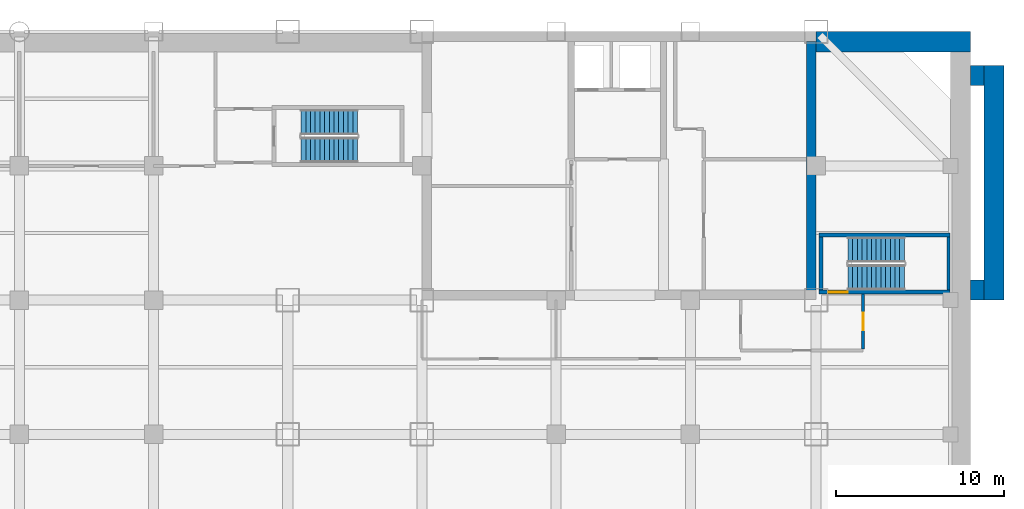
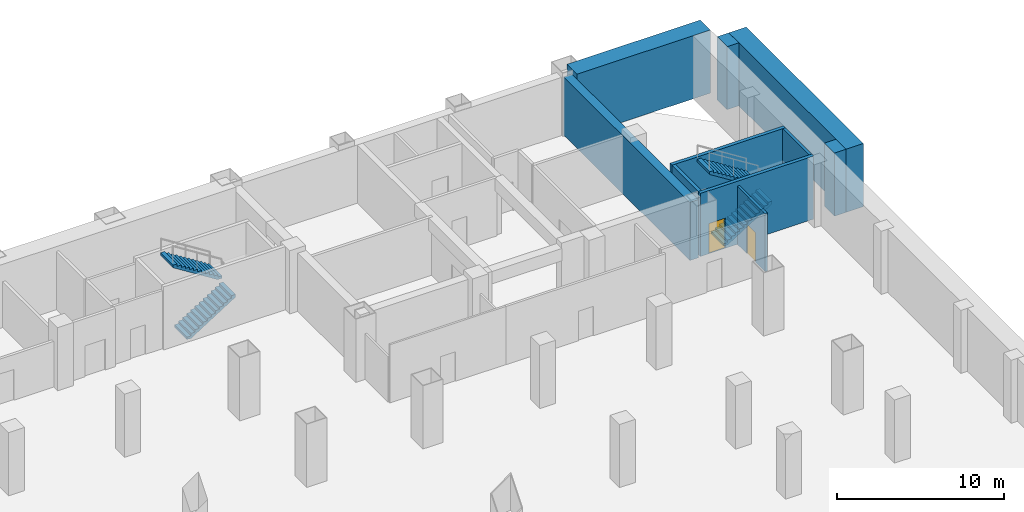
# One storey, part 5 of 8: 10 walls, 4 stair flights, 2 doors, 2 openings, 2 elements without a shape of their own.
"""IFC4 building model written with IfcOpenShell, lengths in metres."""

from ifc_helpers import new_model, si_unit, direction, frame, frame_2d, origin, place, context, subcontext, project, spatial, polyline, rectangle, outline, extrude, material, layer, layer_set, type_object, element, fill, aggregate, save


model = new_model("IFC4")

# Units and contexts
model_context = context("Model", 3, precision=1e-05, world=origin(), true_north=direction((0.0, 1.0)))
body_context = subcontext(model_context, "Body", "Model", "MODEL_VIEW")
ifc_project = project(units=[si_unit("LENGTHUNIT", "METRE"), si_unit("AREAUNIT", "SQUARE_METRE"), si_unit("VOLUMEUNIT", "CUBIC_METRE"), si_unit("PLANEANGLEUNIT", "RADIAN"), si_unit("MASSUNIT", "GRAM", prefix="KILO")], contexts=[model_context])

# Site, building, storey
site_placement = place(None, origin())
site = spatial("IfcSite", under=ifc_project, at=site_placement, CompositionType="ELEMENT")
building_placement = place(site_placement, origin())
building = spatial("IfcBuilding", under=site, at=building_placement, Name="Qianrong Seaharbour Tower", CompositionType="ELEMENT")
storey_placement = place(building_placement, frame((0.0, 0.0, -9.199951171875)))
storey = spatial("IfcBuildingStorey", under=building, at=storey_placement, Name="B02", CompositionType="ELEMENT", Elevation=-9.199951171875)

# Wall
ifc_material_1 = material(Name="Concrete C70/85", Category="concrete")
ifc_layer_1 = layer(ifc_material_1, 0.580078125)
ifc_layer_set_1 = layer_set([ifc_layer_1], Name="Concrete C70/85")
wall_type_1 = type_object("IfcWallType", Name="WALL-CORE-580", PredefinedType="SHEAR", material=ifc_layer_set_1)
wall_1_placement = place(storey_placement, frame((63.7099609375, 36.320068359375, 0.0), z_axis=(0.0, 0.0, 1.0), x_axis=(0.0, 1.0, 0.0)))
element("IfcWall", 1, at=wall_1_placement, inside=storey, type_object=wall_type_1, Name="B02 East Core Shear Wall", PredefinedType="SHEAR", context=body_context, shape_type="SweptSolid", body=[
    extrude(rectangle(XDim=15.099853515625, YDim=0.580078125, at=frame_2d((7.5498046875, 0.0))), origin(), (0.0, 0.0, 1.0), 4.239990234375),
])

# Wall, opening, door
ifc_material_2 = material(Name="Fire-rated acoustic gypsum board partition")
ifc_layer_2 = layer(ifc_material_2, 0.1650390625)
ifc_layer_set_2 = layer_set([ifc_layer_2], Name="Fire-rated acoustic gypsum board partition")
wall_type_2 = type_object("IfcWallType", Name="WALL-CORR-PART-165", PredefinedType="PARTITIONING", material=ifc_layer_set_2)
wall_2_placement = place(storey_placement, frame((66.800048828125, 36.367919921875, 0.0), z_axis=(0.0, 0.0, 1.0), x_axis=(0.0, -1.0, 0.0)))
wall_2 = element("IfcWall", 2, at=wall_2_placement, inside=storey, type_object=wall_type_2, Name="B02 Interior Partition Wall 014", PredefinedType="PARTITIONING", context=body_context, shape_type="SweptSolid", body=[
    extrude(rectangle(XDim=3.29345703125, YDim=0.1650390625, at=frame_2d((1.646728515625, 0.0))), origin(), (0.0, 0.0, 1.0), 4.239990234375),
])
opening_1_placement = place(wall_2_placement, frame((1.121826171875, 0.0, 0.0)))
opening_1 = element("IfcOpeningElement", 3, at=opening_1_placement, cuts=wall_2, Name="Opening DC-01", PredefinedType="OPENING", context=body_context, shape_type="SweptSolid", body=[
    extrude(rectangle(XDim=1.050048828125, YDim=2.14990234375, at=frame_2d((0.52490234375, 1.074951171875))), frame((0.0, 0.092529296875, 0.0), z_axis=(0.0, -1.0, 0.0), x_axis=(1.0, 0.0, 0.0)), (0.0, 0.0, 1.0), 0.18505859375),
])
ifc_material_3 = material(Name="Acoustic timber and galvanized steel fire door assembly", Category="steel")
door_type_1 = type_object("IfcDoorType", Name="DOOR-CORR-FD60-1050x2150", OperationType="NOTDEFINED", PredefinedType="DOOR", material=ifc_material_3)
door_1_placement = place(opening_1_placement, origin())
door_1 = element("IfcDoor", 4, at=door_1_placement, inside=storey, type_object=door_type_1, Name="B02 Basement Stair Vestibule BST-2 Door", OperationType="SINGLE_SWING_LEFT", OverallHeight=2.14990234375, OverallWidth=1.050048828125, PredefinedType="DOOR", context=body_context, shape_type="SweptSolid", body=[
    extrude(rectangle(XDim=1.050048828125, YDim=2.14990234375, at=frame_2d((0.52490234375, 1.074951171875))), frame((0.0, 0.02490234375, 0.0), z_axis=(0.0, -1.0, 0.0), x_axis=(1.0, 0.0, 0.0)), (0.0, 0.0, 1.0), 0.050048828125),
])
fill(opening_1, door_1)

# Walls
ifc_material_4 = material(Name="Concrete C50/60", Category="concrete")
ifc_layer_3 = layer(ifc_material_4, 1.199951171875)
ifc_layer_set_3 = layer_set([ifc_layer_3], Name="Concrete C50/60")
wall_type_3 = type_object("IfcWallType", Name="WALL-DW-1200", PredefinedType="USERDEFINED", material=ifc_layer_set_3)
wall_3_placement = place(storey_placement, frame((74.60009765625, 36.0, 0.0), z_axis=(0.0, 0.0, 1.0), x_axis=(0.0, 1.0, 0.0)))
element("IfcWall", 5, at=wall_3_placement, inside=storey, type_object=wall_type_3, Name="B02 East Harbour Quay Retaining Wall", ObjectType="DIAPHRAGM WALL", PredefinedType="USERDEFINED", context=body_context, shape_type="SweptSolid", body=[
    extrude(rectangle(XDim=14.0, YDim=1.199951171875, at=frame_2d((7.0, 0.0))), origin(), (0.0, 0.0, 1.0), 4.599853515625),
])
for number, where, z_axis, x_axis, name in (
    (6, (73.199951171875, 36.60009765625, 0.0), (0.0, 0.0, 1.0), (1.0, 0.0, 0.0), "B02 East Quay Return Wall S"),
    (7, (73.199951171875, 49.39990234375, 0.0), (0.0, 0.0, 1.0), (1.0, 0.0, 0.0), "B02 East Quay Return Wall N"),
):
    element("IfcWall", number, at=place(storey_placement, frame(where, z_axis=z_axis, x_axis=x_axis)), inside=storey, type_object=wall_type_3, Name=name, ObjectType="DIAPHRAGM WALL", PredefinedType="USERDEFINED", context=body_context, shape_type="SweptSolid", body=[
        extrude(rectangle(XDim=0.800048828125, YDim=1.199951171875, at=frame_2d((0.39990234375, 0.0))), origin(), (0.0, 0.0, 1.0), 4.599853515625),
    ])
wall_4_placement = place(storey_placement, frame((64.0, 51.39990234375, 0.0), z_axis=(0.0, 0.0, 1.0), x_axis=(1.0, 0.0, 0.0)))
element("IfcWall", 8, at=wall_4_placement, inside=storey, type_object=wall_type_3, Name="B02 North-East Diaphragm Retaining Wall", ObjectType="DIAPHRAGM WALL", PredefinedType="USERDEFINED", context=body_context, shape_type="SweptSolid", body=[
    extrude(rectangle(XDim=9.199951171875, YDim=1.199951171875, at=frame_2d((4.60009765625, 0.0))), origin(), (0.0, 0.0, 1.0), 4.599853515625),
])
ifc_layer_4 = layer(ifc_material_4, 0.239990234375)
ifc_layer_set_4 = layer_set([ifc_layer_4], Name="Concrete C50/60")
wall_type_4 = type_object("IfcWallType", Name="WALL-SHAFT-RC240", PredefinedType="SOLIDWALL", material=ifc_layer_set_4)
wall_5_placement = place(storey_placement, frame((64.159912109375, 39.8701171875, 0.0), z_axis=(0.0, 0.0, 1.0), x_axis=(1.0, 0.0, 0.0)))
element("IfcWall", 9, at=wall_5_placement, inside=storey, type_object=wall_type_4, Name="B02 BST-2 Structural Stair Core Wall N", PredefinedType="SOLIDWALL", context=body_context, shape_type="SweptSolid", body=[
    extrude(rectangle(XDim=7.820068359375, YDim=0.239990234375, at=frame_2d((3.91015625, 0.0))), origin(), (0.0, 0.0, 1.0), 4.599853515625),
])

# Wall, opening, door
wall_6_placement = place(storey_placement, frame((71.97998046875, 36.47998046875, 0.0), z_axis=(0.0, 0.0, 1.0), x_axis=(-1.0, 0.0, 0.0)))
wall_6 = element("IfcWall", 10, at=wall_6_placement, inside=storey, type_object=wall_type_4, Name="B02 BST-2 Structural Stair Core Wall S", PredefinedType="SOLIDWALL", context=body_context, shape_type="SweptSolid", body=[
    extrude(rectangle(XDim=7.820068359375, YDim=0.239990234375, at=frame_2d((3.91015625, 0.0))), origin(), (0.0, 0.0, 1.0), 4.599853515625),
])
opening_2_placement = place(wall_6_placement, frame((6.080078125, 0.0, 0.0)))
opening_2 = element("IfcOpeningElement", 11, at=opening_2_placement, cuts=wall_6, Name="Opening SD-01", PredefinedType="OPENING", context=body_context, shape_type="SweptSolid", body=[
    extrude(rectangle(XDim=1.14990234375, YDim=2.199951171875, at=frame_2d((0.574951171875, 1.10009765625))), frame((0.0, 0.1298828125, 0.0), z_axis=(0.0, -1.0, 0.0), x_axis=(1.0, 0.0, 0.0)), (0.0, 0.0, 1.0), 0.260009765625),
])
door_type_2 = type_object("IfcDoorType", Name="DOOR-STAIR-FD60-1150x2200", OperationType="NOTDEFINED", PredefinedType="DOOR", material=ifc_material_3)
door_2_placement = place(opening_2_placement, origin())
door_2 = element("IfcDoor", 12, at=door_2_placement, inside=storey, type_object=door_type_2, Name="B02 BST-2 Protected Stair Door", OperationType="SINGLE_SWING_LEFT", OverallHeight=2.199951171875, OverallWidth=1.14990234375, PredefinedType="DOOR", context=body_context, shape_type="SweptSolid", body=[
    extrude(rectangle(XDim=1.14990234375, YDim=2.199951171875, at=frame_2d((0.574951171875, 1.10009765625))), frame((0.0, 0.02490234375, 0.0), z_axis=(0.0, -1.0, 0.0), x_axis=(1.0, 0.0, 0.0)), (0.0, 0.0, 1.0), 0.050048828125),
])
fill(opening_2, door_2)

# Walls
wall_7_placement = place(storey_placement, frame((64.280029296875, 39.75, 0.0), z_axis=(0.0, 0.0, 1.0), x_axis=(0.0, -1.0, 0.0)))
element("IfcWall", 13, at=wall_7_placement, inside=storey, type_object=wall_type_4, Name="B02 BST-2 Structural Stair Core Wall W", PredefinedType="SOLIDWALL", context=body_context, shape_type="SweptSolid", body=[
    extrude(rectangle(XDim=3.14990234375, YDim=0.239990234375, at=frame_2d((1.574951171875, 0.0))), origin(), (0.0, 0.0, 1.0), 4.599853515625),
])
wall_8_placement = place(storey_placement, frame((71.889892578125, 36.60009765625, 0.0), z_axis=(0.0, 0.0, 1.0), x_axis=(0.0, 1.0, 0.0)))
element("IfcWall", 14, at=wall_8_placement, inside=storey, type_object=wall_type_4, Name="B02 BST-2 Structural Stair Core Wall E", PredefinedType="SOLIDWALL", context=body_context, shape_type="SweptSolid", body=[
    extrude(rectangle(XDim=3.14990234375, YDim=0.179931640625, at=frame_2d((1.574951171875, 0.0))), origin(), (0.0, 0.0, 1.0), 4.599853515625),
])

# Stair, stair flights
stair_type = type_object("IfcStairType", Name="STAIR-DOGLEG-1500-R26", PredefinedType="HALF_TURN_STAIR", material=ifc_material_4)
stair_1_placement = place(storey_placement, origin())
stair_1 = element("IfcStair", 15, at=stair_1_placement, inside=storey, type_object=stair_type, Name="B02 Protected Escape Stair BST-1", PredefinedType="HALF_TURN_STAIR")
stair_flight_type = type_object("IfcStairFlightType", Name="FLIGHT-STR-1500-R26", PredefinedType="STRAIGHT", material=ifc_material_4)
stair_flight_1_placement = place(storey_placement, frame((33.300048828125, 44.949951171875, 0.0), z_axis=(0.0, 0.0, 1.0), x_axis=(1.0, 0.0, 0.0)))
stair_flight_1 = element("IfcStairFlight", 16, at=stair_flight_1_placement, type_object=stair_flight_type, Name="BST-1 flight 1", NumberOfRisers=13, NumberOfTreads=12, PredefinedType="STRAIGHT", RiserHeight=0.176923077, TreadLength=0.28, context=body_context, shape_type="SweptSolid", body=[
    extrude(outline(polyline([(0.0, 0.0), (0.0, 0.177001953125), (0.280029296875, 0.177001953125), (0.280029296875, 0.353759765625), (0.56005859375, 0.353759765625), (0.56005859375, 0.53076171875), (0.840087890625, 0.53076171875), (0.840087890625, 0.707763671875), (1.1201171875, 0.707763671875), (1.1201171875, 0.884521484375), (1.39990234375, 0.884521484375), (1.39990234375, 1.0615234375), (1.679931640625, 1.0615234375), (1.679931640625, 1.238525390625), (1.9599609375, 1.238525390625), (1.9599609375, 1.415283203125), (2.239990234375, 1.415283203125), (2.239990234375, 1.59228515625), (2.52001953125, 1.59228515625), (2.52001953125, 1.769287109375), (2.800048828125, 1.769287109375), (2.800048828125, 1.946044921875), (3.080078125, 1.946044921875), (3.080078125, 2.123046875), (3.360107421875, 2.123046875), (3.360107421875, 2.300048828125), (3.360107421875, 1.933837890625), (0.29931640625, 0.0), (0.0, 0.0)])), frame((0.0, 0.75, 0.0), z_axis=(0.0, -1.0, 0.0), x_axis=(1.0, 0.0, 0.0)), (0.0, 0.0, 1.0), 1.5),
])
stair_flight_2_placement = place(storey_placement, frame((36.659912109375, 46.60009765625, 2.300048828125), z_axis=(0.0, 0.0, 1.0), x_axis=(-1.0, 0.0, 0.0)))
stair_flight_2 = element("IfcStairFlight", 17, at=stair_flight_2_placement, type_object=stair_flight_type, Name="BST-1 flight 2", NumberOfRisers=13, NumberOfTreads=12, PredefinedType="STRAIGHT", RiserHeight=0.176923077, TreadLength=0.28, context=body_context, shape_type="SweptSolid", body=[
    extrude(outline(polyline([(0.0, 0.0), (0.0, 0.177001953125), (0.280029296875, 0.177001953125), (0.280029296875, 0.353759765625), (0.56005859375, 0.353759765625), (0.56005859375, 0.53076171875), (0.840087890625, 0.53076171875), (0.840087890625, 0.707763671875), (1.1201171875, 0.707763671875), (1.1201171875, 0.884521484375), (1.39990234375, 0.884521484375), (1.39990234375, 1.0615234375), (1.679931640625, 1.0615234375), (1.679931640625, 1.238525390625), (1.9599609375, 1.238525390625), (1.9599609375, 1.415283203125), (2.239990234375, 1.415283203125), (2.239990234375, 1.59228515625), (2.52001953125, 1.59228515625), (2.52001953125, 1.769287109375), (2.800048828125, 1.769287109375), (2.800048828125, 1.946044921875), (3.080078125, 1.946044921875), (3.080078125, 2.123046875), (3.360107421875, 2.123046875), (3.360107421875, 2.300048828125), (3.360107421875, 1.933837890625), (0.29931640625, 0.0), (0.0, 0.0)])), frame((0.0, 0.75, 0.0), z_axis=(0.0, -1.0, 0.0), x_axis=(1.0, 0.0, 0.0)), (0.0, 0.0, 1.0), 1.5),
])
aggregate(stair_1, [stair_flight_1, stair_flight_2])

stair_2_placement = place(storey_placement, origin())
stair_2 = element("IfcStair", 18, at=stair_2_placement, inside=storey, type_object=stair_type, Name="B02 Protected Escape Stair BST-2", PredefinedType="HALF_TURN_STAIR")
stair_flight_3_placement = place(storey_placement, frame((65.89990234375, 37.35009765625, 0.0), z_axis=(0.0, 0.0, 1.0), x_axis=(1.0, 0.0, 0.0)))
stair_flight_3 = element("IfcStairFlight", 19, at=stair_flight_3_placement, type_object=stair_flight_type, Name="BST-2 flight 1", NumberOfRisers=13, NumberOfTreads=12, PredefinedType="STRAIGHT", RiserHeight=0.176923077, TreadLength=0.28, context=body_context, shape_type="SweptSolid", body=[
    extrude(outline(polyline([(0.0, 0.0), (0.0, 0.177001953125), (0.280029296875, 0.177001953125), (0.280029296875, 0.353759765625), (0.56005859375, 0.353759765625), (0.56005859375, 0.53076171875), (0.840087890625, 0.53076171875), (0.840087890625, 0.707763671875), (1.1201171875, 0.707763671875), (1.1201171875, 0.884521484375), (1.39990234375, 0.884521484375), (1.39990234375, 1.0615234375), (1.679931640625, 1.0615234375), (1.679931640625, 1.238525390625), (1.9599609375, 1.238525390625), (1.9599609375, 1.415283203125), (2.239990234375, 1.415283203125), (2.239990234375, 1.59228515625), (2.52001953125, 1.59228515625), (2.52001953125, 1.769287109375), (2.800048828125, 1.769287109375), (2.800048828125, 1.946044921875), (3.080078125, 1.946044921875), (3.080078125, 2.123046875), (3.360107421875, 2.123046875), (3.360107421875, 2.300048828125), (3.360107421875, 1.933837890625), (0.29931640625, 0.0), (0.0, 0.0)])), frame((0.0, 0.75, 0.0), z_axis=(0.0, -1.0, 0.0), x_axis=(1.0, 0.0, 0.0)), (0.0, 0.0, 1.0), 1.5),
])
stair_flight_4_placement = place(storey_placement, frame((69.260009765625, 39.0, 2.300048828125), z_axis=(0.0, 0.0, 1.0), x_axis=(-1.0, 0.0, 0.0)))
stair_flight_4 = element("IfcStairFlight", 20, at=stair_flight_4_placement, type_object=stair_flight_type, Name="BST-2 flight 2", NumberOfRisers=13, NumberOfTreads=12, PredefinedType="STRAIGHT", RiserHeight=0.176923077, TreadLength=0.28, context=body_context, shape_type="SweptSolid", body=[
    extrude(outline(polyline([(0.0, 0.0), (0.0, 0.177001953125), (0.280029296875, 0.177001953125), (0.280029296875, 0.353759765625), (0.56005859375, 0.353759765625), (0.56005859375, 0.53076171875), (0.840087890625, 0.53076171875), (0.840087890625, 0.707763671875), (1.1201171875, 0.707763671875), (1.1201171875, 0.884521484375), (1.39990234375, 0.884521484375), (1.39990234375, 1.0615234375), (1.679931640625, 1.0615234375), (1.679931640625, 1.238525390625), (1.9599609375, 1.238525390625), (1.9599609375, 1.415283203125), (2.239990234375, 1.415283203125), (2.239990234375, 1.59228515625), (2.52001953125, 1.59228515625), (2.52001953125, 1.769287109375), (2.800048828125, 1.769287109375), (2.800048828125, 1.946044921875), (3.080078125, 1.946044921875), (3.080078125, 2.123046875), (3.360107421875, 2.123046875), (3.360107421875, 2.300048828125), (3.360107421875, 1.933837890625), (0.29931640625, 0.0), (0.0, 0.0)])), frame((0.0, 0.75, 0.0), z_axis=(0.0, -1.0, 0.0), x_axis=(1.0, 0.0, 0.0)), (0.0, 0.0, 1.0), 1.5),
])
aggregate(stair_2, [stair_flight_3, stair_flight_4])

save(model, "model.ifc")
